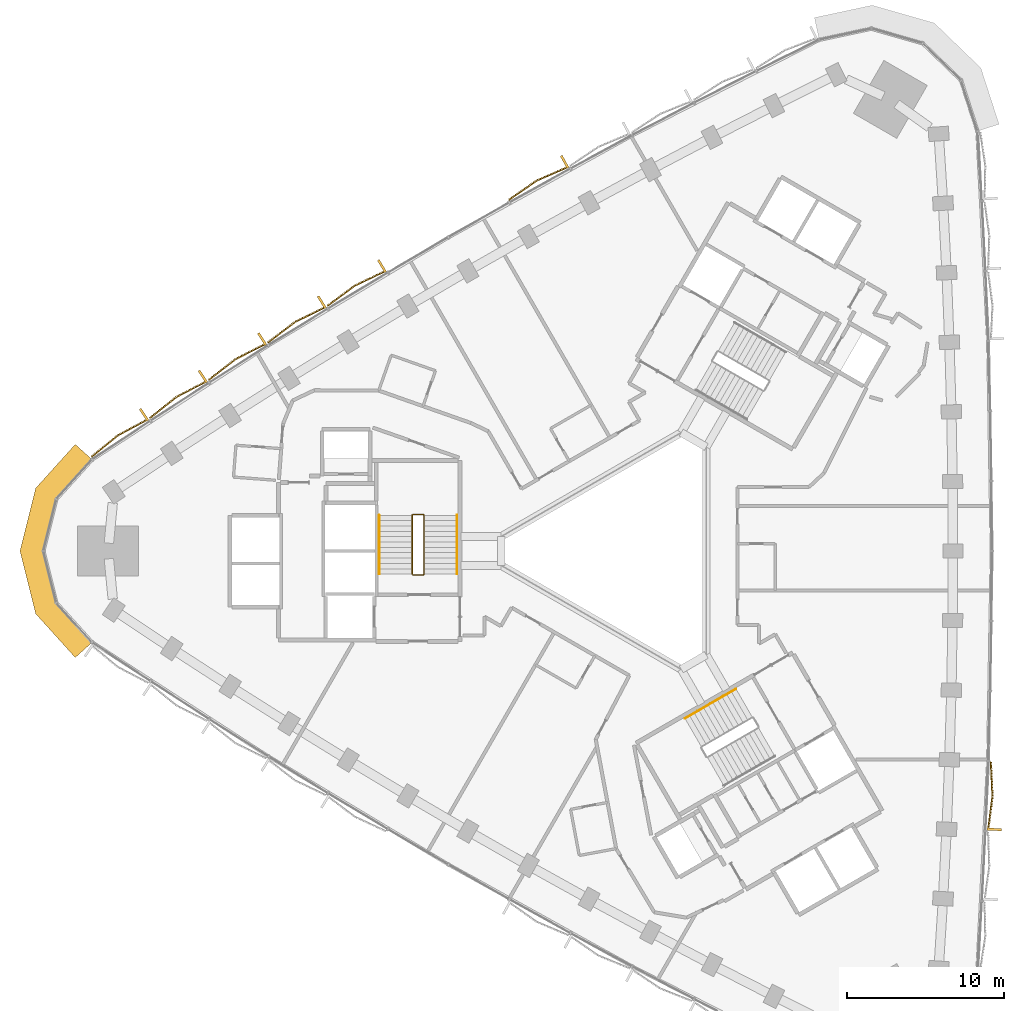
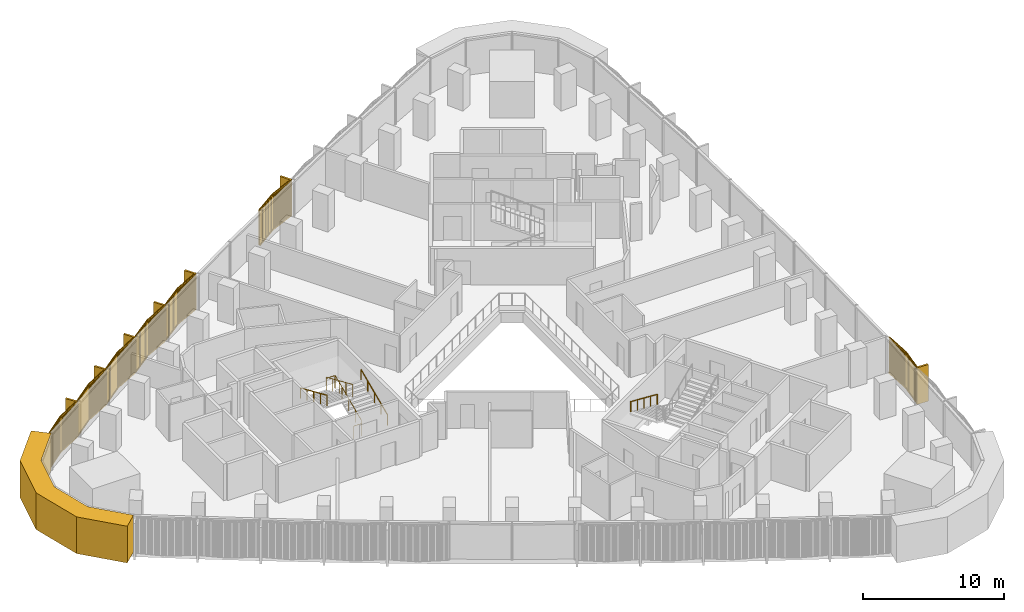
# One storey, part 13 of 15: 8 coverings, 4 railings.
"""IFC4 building model written with IfcOpenShell, lengths in metres."""

import ifcopenshell
import ifcopenshell.guid

model = None  # the IFC model being written
_history = None  # IfcOwnerHistory: only IFC2X3 demands one
_inside = {}  # id of a spatial element -> (the spatial element, [elements in it])
_under = {}  # id of a project, library or spatial element -> (it, [spatial elements below it])
_declared = {}  # id of a project -> (the project, [libraries it declares])
_typed = {}  # id of a type object -> (the type object, [elements of that type])
_made_of = {}  # id of a material, layer set ... -> (it, [elements and type objects made of it])


def new_model(schema):
    """Start an empty IFC model of exactly this schema.

    Asked for "IFC4X3", IfcOpenShell would pick the latest addendum, in which some entities
    have other attributes; the version numbers below select the first issue.
    IFC2X3 requires an IfcOwnerHistory on every rooted entity: one is made here for all.
    """
    global model, _history
    if schema == "IFC4X3":
        model = ifcopenshell.file(schema_version=(4, 3, 0, 0))
    else:
        model = ifcopenshell.file(schema=schema)
    _inside.clear()
    _under.clear()
    _declared.clear()
    _typed.clear()
    _made_of.clear()
    _history = None
    if model.schema == "IFC2X3":
        org = make("IfcOrganization", Name="unknown")
        user = make(
            "IfcPersonAndOrganization",
            ThePerson=make("IfcPerson", FamilyName="unknown"),
            TheOrganization=org,
        )
        app = make(
            "IfcApplication",
            ApplicationDeveloper=org,
            Version="unknown",
            ApplicationFullName="unknown",
            ApplicationIdentifier="unknown",
        )
        _history = make(
            "IfcOwnerHistory",
            OwningUser=user,
            OwningApplication=app,
            ChangeAction="ADDED",
            CreationDate=0,
        )
    return model


def make(cls, **values):
    """One entity of the class cls with the attributes given. An attribute that is None is left unset."""
    return model.create_entity(
        cls, **{name: value for name, value in values.items() if value is not None}
    )


def rooted(cls, **values):
    """An entity with a GlobalId (a new one), such as an element, a storey or a relation."""
    return make(cls, GlobalId=ifcopenshell.guid.new(), OwnerHistory=_history, **values)


def si_unit(unit_type, name, prefix=None):
    """IfcSIUnit, for example si_unit("LENGTHUNIT", "METRE", prefix="MILLI")."""
    return make("IfcSIUnit", UnitType=unit_type, Prefix=prefix, Name=name)


def assignment(units):
    """IfcUnitAssignment: the units of a project."""
    return None if units is None else make("IfcUnitAssignment", Units=units)


def point(xyz):
    """IfcCartesianPoint."""
    return None if xyz is None else make("IfcCartesianPoint", Coordinates=xyz)


def direction(xyz):
    """IfcDirection."""
    return None if xyz is None else make("IfcDirection", DirectionRatios=xyz)


def frame(location, z_axis=None, x_axis=None):
    """IfcAxis2Placement3D, a coordinate frame: its origin and axes. An axis left out is left unset."""
    return make(
        "IfcAxis2Placement3D",
        Location=point(location),
        Axis=direction(z_axis),
        RefDirection=direction(x_axis),
    )


def frame_2d(location, x_axis=None):
    """IfcAxis2Placement2D, a coordinate frame in the plane: its origin and x axis."""
    return make(
        "IfcAxis2Placement2D", Location=point(location), RefDirection=direction(x_axis)
    )


def origin():
    """The frame at (0, 0, 0) with its axes left unset."""
    return frame((0.0, 0.0, 0.0))


def origin_2d():
    """The frame at (0, 0) in the plane with its x axis left unset."""
    return frame_2d((0.0, 0.0))


def place(relative_to, where):
    """IfcLocalPlacement: puts the frame where relative to a parent placement (None: the world)."""
    return make(
        "IfcLocalPlacement", PlacementRelTo=relative_to, RelativePlacement=where
    )


def context(
    kind, dimensions, precision=None, world=None, true_north=None, identifier=None
):
    """IfcGeometricRepresentationContext, for example the 3D "Model" context."""
    return make(
        "IfcGeometricRepresentationContext",
        ContextIdentifier=identifier,
        ContextType=kind,
        CoordinateSpaceDimension=dimensions,
        Precision=precision,
        WorldCoordinateSystem=world,
        TrueNorth=true_north,
    )


def subcontext(parent, identifier, kind, view, scale=None):
    """IfcGeometricRepresentationSubContext, for example "Body" below "Model"."""
    return make(
        "IfcGeometricRepresentationSubContext",
        ContextIdentifier=identifier,
        ContextType=kind,
        ParentContext=parent,
        TargetScale=scale,
        TargetView=view,
    )


def project(units=None, contexts=None):
    """IfcProject with its units and contexts."""
    return rooted(
        "IfcProject",
        Name="project",
        RepresentationContexts=contexts,
        UnitsInContext=assignment(units),
    )


def spatial(cls, under=None, at=None, **own):
    """A site, building, storey or space (cls), placed at a placement, below another one or the project."""
    s = rooted(cls, ObjectPlacement=at, **own)
    if under is not None:
        _under.setdefault(under.id(), (under, []))[1].append(s)
    return s


def polyline(points):
    """IfcPolyline through the points."""
    return make("IfcPolyline", Points=[point(p) for p in points])


def profile(cls, at=None, kind="AREA", **sizes):
    """A parametric profile (cls). Its sizes go by their IFC names, for example OverallWidth=200.0."""
    return make(cls, ProfileType=kind, Position=at, **sizes)


def rectangle(**sizes):
    """IfcRectangleProfileDef."""
    return profile("IfcRectangleProfileDef", **sizes)


def circle(**sizes):
    """IfcCircleProfileDef."""
    return profile("IfcCircleProfileDef", **sizes)


def outline(outer, holes=None, kind="AREA"):
    """IfcArbitraryClosedProfileDef: a profile drawn as a closed curve; with holes, ...WithVoids."""
    if holes is None:
        return make("IfcArbitraryClosedProfileDef", ProfileType=kind, OuterCurve=outer)
    return make(
        "IfcArbitraryProfileDefWithVoids",
        ProfileType=kind,
        OuterCurve=outer,
        InnerCurves=holes,
    )


def extrude(swept, where, along, depth):
    """IfcExtrudedAreaSolid: the profile swept, set in the frame where, extruded along a direction by depth."""
    return make(
        "IfcExtrudedAreaSolid",
        SweptArea=swept,
        Position=where,
        ExtrudedDirection=direction(along),
        Depth=depth,
    )


def shape(context_of_items, identifier, shape_type, items):
    """IfcShapeRepresentation: the items that make up one representation, for example the "Body"."""
    return make(
        "IfcShapeRepresentation",
        ContextOfItems=context_of_items,
        RepresentationIdentifier=identifier,
        RepresentationType=shape_type,
        Items=items,
    )


def source(mapping_origin, context_of_items, identifier, shape_type, items):
    """IfcRepresentationMap: a shape defined once, which mapped items show again and again."""
    return make(
        "IfcRepresentationMap",
        MappingOrigin=mapping_origin,
        MappedRepresentation=shape(context_of_items, identifier, shape_type, items),
    )


def transform(
    local_origin,
    x_axis=None,
    y_axis=None,
    z_axis=None,
    scale=None,
    scale2=None,
    scale3=None,
    uniform=True,
):
    """IfcCartesianTransformationOperator3D, or its non-uniform kind. x_axis, y_axis, z_axis: its Axis1, 2, 3."""
    if uniform:
        return make(
            "IfcCartesianTransformationOperator3D",
            Axis1=direction(x_axis),
            Axis2=direction(y_axis),
            LocalOrigin=point(local_origin),
            Scale=scale,
            Axis3=direction(z_axis),
        )
    return make(
        "IfcCartesianTransformationOperator3DnonUniform",
        Axis1=direction(x_axis),
        Axis2=direction(y_axis),
        LocalOrigin=point(local_origin),
        Scale=scale,
        Axis3=direction(z_axis),
        Scale2=scale2,
        Scale3=scale3,
    )


def mapped(mapping_source, mapping_target):
    """IfcMappedItem: shows the shape of a source again, moved by a transform."""
    return make(
        "IfcMappedItem", MappingSource=mapping_source, MappingTarget=mapping_target
    )


def material(Name=None, Category=None):
    """IfcMaterial."""
    return make("IfcMaterial", Name=Name, Category=Category)


def layer(
    of_material, thickness, ventilated=None, Name=None, Category=None, Priority=None
):
    """IfcMaterialLayer: one layer of a wall or slab, of a material (None: an air gap)."""
    return make(
        "IfcMaterialLayer",
        Material=of_material,
        LayerThickness=thickness,
        IsVentilated=ventilated,
        Name=Name,
        Category=Category,
        Priority=Priority,
    )


def layer_set(layers, Name=None):
    """IfcMaterialLayerSet."""
    return make("IfcMaterialLayerSet", MaterialLayers=layers, LayerSetName=Name)


def made_of(thing, what):
    """Note that an element or type object is made of a material, layer set ...; save() writes the relation."""
    if what is not None:
        _made_of.setdefault(what.id(), (what, []))[1].append(thing)
    return thing


def type_object(cls, material=None, **own):
    """A type object (cls), such as IfcWallType, which elements share."""
    return made_of(rooted(cls, **own), material)


def element(
    cls,
    number,
    at=None,
    inside=None,
    cuts=None,
    type_object=None,
    material=None,
    context=None,
    identifier="Body",
    shape_type=None,
    held_by="IfcProductDefinitionShape",
    body=None,
    shapes=None,
    **own,
):
    """One element of the class cls, such as IfcWall. Its Tag is "e" and its number.

    at: its placement. inside: the storey or other place that contains it. cuts: it is an
    opening in that element (IfcRelVoidsElement). A single representation is given by context,
    identifier, shape_type and body (its items); several are given by shapes. held_by: the class
    of the entity that holds the representations. save() writes the other relations.
    """
    e = rooted(cls, Tag="e%d" % number, ObjectPlacement=at, **own)
    if body is not None:
        shapes = [shape(context, identifier, shape_type, body)]
    if shapes is not None:
        e.Representation = make(held_by, Representations=shapes)
    if inside is not None:
        _inside.setdefault(inside.id(), (inside, []))[1].append(e)
    if cuts is not None:
        rooted(
            "IfcRelVoidsElement", RelatingBuildingElement=cuts, RelatedOpeningElement=e
        )
    if type_object is not None:
        _typed.setdefault(type_object.id(), (type_object, []))[1].append(e)
    return made_of(e, material)


def aggregate(whole, parts):
    """IfcRelAggregates: a whole, such as a stair, and the parts it consists of."""
    return rooted("IfcRelAggregates", RelatingObject=whole, RelatedObjects=parts)


def save(model, path):
    """Write the relations noted so far, then the file.

    IfcRelAggregates (storeys below a building ...), IfcRelContainedInSpatialStructure (elements
    in a storey), IfcRelDefinesByType, IfcRelAssociatesMaterial and IfcRelDeclares: one each for
    every whole, place, type object, material and project.
    """
    for whole, parts in _under.values():
        aggregate(whole, parts)
    for where, things in _inside.values():
        rooted(
            "IfcRelContainedInSpatialStructure",
            RelatedElements=things,
            RelatingStructure=where,
        )
    for kind, things in _typed.values():
        rooted("IfcRelDefinesByType", RelatedObjects=things, RelatingType=kind)
    for what, things in _made_of.values():
        rooted("IfcRelAssociatesMaterial", RelatedObjects=things, RelatingMaterial=what)
    for by, libraries in _declared.values():
        rooted("IfcRelDeclares", RelatingContext=by, RelatedDefinitions=libraries)
    model.write(path)


model = new_model("IFC4")

# Units and contexts
model_context = context("Model", 3, precision=1e-05, world=origin(), true_north=direction((0.0, 1.0)))
body_context = subcontext(model_context, "Body", "Model", "MODEL_VIEW")
ifc_project = project(units=[si_unit("LENGTHUNIT", "METRE"), si_unit("AREAUNIT", "SQUARE_METRE"), si_unit("VOLUMEUNIT", "CUBIC_METRE"), si_unit("PLANEANGLEUNIT", "RADIAN"), si_unit("MASSUNIT", "GRAM", prefix="KILO")], contexts=[model_context])

# Site, building, storey
site_placement = place(None, origin())
site = spatial("IfcSite", under=ifc_project, at=site_placement, CompositionType="ELEMENT")
building_placement = place(site_placement, origin())
building = spatial("IfcBuilding", under=site, at=building_placement, Name="Tamra Quay Hotel Tower", CompositionType="ELEMENT")
storey_placement = place(building_placement, frame((0.0, 0.0, 97.39990234375)))
storey = spatial("IfcBuildingStorey", under=building, at=storey_placement, Name="L23", CompositionType="ELEMENT", Elevation=97.39990234375)

# Covering
ifc_material_1 = material(Name="Precast concrete M60 terracotta-coloured", Category="masonry")
ifc_layer = layer(ifc_material_1, 1.449951171875)
ifc_layer_set = layer_set([ifc_layer], Name="CORNER PIER PANEL")
covering_type_1 = type_object("IfcCoveringType", Name="CORNER PIER PANEL", PredefinedType="CLADDING", material=ifc_layer_set)
covering_1_placement = place(storey_placement, origin())
element("IfcCovering", 1, at=covering_1_placement, inside=storey, type_object=covering_type_1, Name="Corner pier L23.north-west", PredefinedType="CLADDING", context=body_context, shape_type="SweptSolid", body=[
    extrude(outline(polyline([(-34.337890625, 5.839599609375), (-35.414306640625, 6.811279296875), (-37.942138671875, 4.01123046875), (-38.944091796875, 0.0), (-37.942138671875, -4.01123046875), (-35.414306640625, -6.811279296875), (-34.337890625, -5.839599609375), (-36.623046875, -3.308349609375), (-37.449462890625, 0.0), (-36.623046875, 3.308349609375), (-34.337890625, 5.839599609375)])), origin(), (0.0, 0.0, 1.0), 3.175048828125),
])

# Railings
ifc_material_2 = material(Name="Stair guard 1100")
railing_type_1 = type_object("IfcRailingType", Name="Stair guard 1100", PredefinedType="GUARDRAIL", material=ifc_material_2)
railing_1_placement = place(storey_placement, frame((-13.84130859375, -1.530029296875, 0.0)))
element("IfcRailing", 2, at=railing_1_placement, inside=storey, type_object=railing_type_1, Name="GR", PredefinedType="GUARDRAIL", context=body_context, shape_type="SweptSolid", body=[
    extrude(circle(Radius=0.02392578125, at=origin_2d()), frame((0.0, 0.0, 1.076171875), z_axis=(1.0, 0.0, 0.0), x_axis=(0.0, 1.0, 0.0)), (0.0, 0.0, 1.0), 0.658935546875),
    extrude(circle(Radius=0.02392578125, at=origin_2d()), frame((0.658935546875, 0.0, 1.076171875), z_axis=(0.301511344578, 0.301511344578, 0.904534033733), x_axis=(-0.707106781187, 0.707106781187, 0.0)), (0.0, 0.0, 1.0), 0.166015625),
    extrude(circle(Radius=0.02392578125, at=origin_2d()), frame((0.708984375, 0.050048828125, 1.22607421875), z_axis=(0.0, 0.915795495799, 0.401644880304), x_axis=(-1.0, 0.0, 0.0)), (0.0, 0.0, 1.0), 4.10791015625),
    extrude(circle(Radius=0.02392578125, at=origin_2d()), frame((0.708984375, 3.81201171875, 2.8759765625), z_axis=(-0.708833529934, 0.705375805398, 0.0), x_axis=(-0.705375805398, -0.708833529934, 0.0)), (0.0, 0.0, 1.0), 0.070556640625),
    extrude(circle(Radius=0.02392578125, at=origin_2d()), frame((0.658935546875, 3.86181640625, 2.8759765625), z_axis=(-1.0, 0.0, 0.0), x_axis=(0.0, -1.0, 0.0)), (0.0, 0.0, 1.0), 0.658935546875),
    extrude(circle(Radius=0.02392578125, at=origin_2d()), frame((0.0, 3.86181640625, 2.8759765625), z_axis=(-0.301644814947, -0.300173376825, 0.904934444842), x_axis=(0.705375805398, -0.708833529934, 0.0)), (0.0, 0.0, 1.0), 0.166015625),
    extrude(circle(Radius=0.02392578125, at=origin_2d()), frame((-0.050048828125, 3.81201171875, 3.0263671875), z_axis=(0.0, -0.915795495799, 0.401644880304), x_axis=(1.0, 0.0, 0.0)), (0.0, 0.0, 1.0), 4.10791015625),
    extrude(circle(Radius=0.02099609375, at=origin_2d()), origin(), (0.0, 0.0, 1.0), 1.052001953125),
    extrude(circle(Radius=0.02099609375, at=origin_2d()), frame((0.658935546875, 0.0, 0.0)), (0.0, 0.0, 1.0), 1.052001953125),
    extrude(circle(Radius=0.02099609375, at=origin_2d()), frame((0.708984375, 0.050048828125, 0.150146484375)), (0.0, 0.0, 1.0), 1.052001953125),
    extrude(circle(Radius=0.02099609375, at=origin_2d()), frame((0.708984375, 0.990478515625, 0.5625)), (0.0, 0.0, 1.0), 1.052001953125),
    extrude(circle(Radius=0.02099609375, at=origin_2d()), frame((0.708984375, 1.93115234375, 0.97509765625)), (0.0, 0.0, 1.0), 1.052001953125),
    extrude(circle(Radius=0.02099609375, at=origin_2d()), frame((0.708984375, 2.87158203125, 1.3876953125)), (0.0, 0.0, 1.0), 1.052001953125),
    extrude(circle(Radius=0.02099609375, at=origin_2d()), frame((0.708984375, 3.81201171875, 1.800048828125)), (0.0, 0.0, 1.0), 1.052001953125),
    extrude(circle(Radius=0.02099609375, at=origin_2d()), frame((0.658935546875, 3.86181640625, 1.800048828125)), (0.0, 0.0, 1.0), 1.052001953125),
    extrude(circle(Radius=0.02099609375, at=origin_2d()), frame((0.0, 3.86181640625, 1.800048828125)), (0.0, 0.0, 1.0), 1.052001953125),
    extrude(circle(Radius=0.02099609375, at=origin_2d()), frame((-0.050048828125, 3.81201171875, 1.9501953125)), (0.0, 0.0, 1.0), 1.052001953125),
    extrude(circle(Radius=0.02099609375, at=origin_2d()), frame((-0.050048828125, 2.87158203125, 2.36279296875)), (0.0, 0.0, 1.0), 1.052001953125),
    extrude(circle(Radius=0.02099609375, at=origin_2d()), frame((-0.050048828125, 1.93115234375, 2.775146484375)), (0.0, 0.0, 1.0), 1.052001953125),
    extrude(circle(Radius=0.02099609375, at=origin_2d()), frame((-0.050048828125, 0.990478515625, 3.1875)), (0.0, 0.0, 1.0), 1.052001953125),
    extrude(circle(Radius=0.02099609375, at=origin_2d()), frame((-0.050048828125, 0.050048828125, 3.60009765625)), (0.0, 0.0, 1.0), 1.052001953125),
])
ifc_material_3 = material(Name="Stair handrail 900")
railing_type_2 = type_object("IfcRailingType", Name="Stair handrail 900", PredefinedType="HANDRAIL", material=ifc_material_3)
railing_2_placement = place(storey_placement, frame((-11.0322265625, -1.47998046875, 0.150146484375)))
element("IfcRailing", 3, at=railing_2_placement, inside=storey, type_object=railing_type_2, Name="HR", PredefinedType="HANDRAIL", context=body_context, shape_type="SweptSolid", body=[
    extrude(circle(Radius=0.02392578125, at=origin_2d()), frame((0.0, 0.0, 0.8759765625), z_axis=(0.0, 0.915795495799, 0.401644880304), x_axis=(-1.0, 0.0, 0.0)), (0.0, 0.0, 1.0), 4.10791015625),
    extrude(circle(Radius=0.02099609375, at=origin_2d()), origin(), (0.0, 0.0, 1.0), 0.851806640625),
    extrude(circle(Radius=0.02099609375, at=origin_2d()), frame((0.0, 0.9404296875, 0.41259765625)), (0.0, 0.0, 1.0), 0.851806640625),
    extrude(circle(Radius=0.02099609375, at=origin_2d()), frame((0.0, 1.880859375, 0.824951171875)), (0.0, 0.0, 1.0), 0.851806640625),
    extrude(circle(Radius=0.02099609375, at=origin_2d()), frame((0.0, 2.821533203125, 1.2373046875)), (0.0, 0.0, 1.0), 0.851806640625),
    extrude(circle(Radius=0.02099609375, at=origin_2d()), frame((0.0, 3.761962890625, 1.64990234375)), (0.0, 0.0, 1.0), 0.851806640625),
])
railing_3_placement = place(storey_placement, frame((-15.9912109375, 2.281982421875, 1.9501953125)))
element("IfcRailing", 4, at=railing_3_placement, inside=storey, type_object=railing_type_2, Name="HR", PredefinedType="HANDRAIL", context=body_context, shape_type="SweptSolid", body=[
    extrude(circle(Radius=0.02392578125, at=origin_2d()), frame((0.0, 0.0, 0.8759765625), z_axis=(0.0, -0.915795495799, 0.401644880304), x_axis=(1.0, 0.0, 0.0)), (0.0, 0.0, 1.0), 4.10791015625),
    extrude(circle(Radius=0.02099609375, at=origin_2d()), origin(), (0.0, 0.0, 1.0), 0.851806640625),
    extrude(circle(Radius=0.02099609375, at=origin_2d()), frame((0.0, -0.9404296875, 0.41259765625)), (0.0, 0.0, 1.0), 0.851806640625),
    extrude(circle(Radius=0.02099609375, at=origin_2d()), frame((0.0, -1.880859375, 0.824951171875)), (0.0, 0.0, 1.0), 0.851806640625),
    extrude(circle(Radius=0.02099609375, at=origin_2d()), frame((0.0, -2.821533203125, 1.2373046875)), (0.0, 0.0, 1.0), 0.851806640625),
    extrude(circle(Radius=0.02099609375, at=origin_2d()), frame((0.0, -3.761962890625, 1.64990234375)), (0.0, 0.0, 1.0), 0.851806640625),
])
railing_4_placement = place(storey_placement, frame((6.7978515625, -8.814208984375, 0.150146484375)))
element("IfcRailing", 5, at=railing_4_placement, inside=storey, type_object=railing_type_2, Name="HR", PredefinedType="HANDRAIL", context=body_context, shape_type="SweptSolid", body=[
    extrude(circle(Radius=0.02392578125, at=origin_2d()), frame((0.0, 0.0, 0.8759765625), z_axis=(-0.79310004713, -0.457886897714, 0.401661429744), x_axis=(0.499992114976, -0.866029956157, 0.0)), (0.0, 0.0, 1.0), 4.107666015625),
    extrude(circle(Radius=0.02099609375, at=origin_2d()), origin(), (0.0, 0.0, 1.0), 0.851806640625),
    extrude(circle(Radius=0.02099609375, at=origin_2d()), frame((-0.814453125, -0.47021484375, 0.41259765625)), (0.0, 0.0, 1.0), 0.851806640625),
    extrude(circle(Radius=0.02099609375, at=origin_2d()), frame((-1.62890625, -0.9404296875, 0.824951171875)), (0.0, 0.0, 1.0), 0.851806640625),
    extrude(circle(Radius=0.02099609375, at=origin_2d()), frame((-2.443359375, -1.41064453125, 1.2373046875)), (0.0, 0.0, 1.0), 0.851806640625),
    extrude(circle(Radius=0.02099609375, at=origin_2d()), frame((-3.2578125, -1.880859375, 1.64990234375)), (0.0, 0.0, 1.0), 0.851806640625),
])

# Coverings
ifc_material_4 = material(Name="Terracotta baguette extruded", Category="masonry")
covering_type_2 = type_object("IfcCoveringType", Name="BAGUETTE SCREEN E-V H3175", PredefinedType="USERDEFINED", material=ifc_material_4)
shared_shape_1 = source(origin(), body_context, "Body", "SweptSolid", [
    extrude(rectangle(XDim=2.200927734375, YDim=0.06005859375, at=frame_2d((1.1005859375, 0.030029296875))), frame((-2.19775390625, -0.057861328125, -0.1201171875), z_axis=(0.0, 0.0, 1.0), x_axis=(0.996194698092, -0.087155742748, 0.0)), (0.0, 0.0, 1.0), 0.1201171875),
    extrude(rectangle(XDim=2.200927734375, YDim=0.06005859375, at=frame_2d((1.1005859375, 0.030029296875))), frame((-2.19775390625, -0.057861328125, -3.175048828125), z_axis=(0.0, 0.0, 1.0), x_axis=(0.996194698092, -0.087155742748, 0.0)), (0.0, 0.0, 1.0), 0.1201171875),
    extrude(rectangle(XDim=0.070068359375, YDim=0.10009765625, at=frame_2d((0.03515625, 0.050048828125))), frame((-2.177734375, -0.13232421875, -3.114990234375)), (0.0, 0.0, 1.0), 3.054931640625),
    extrude(rectangle(XDim=0.070068359375, YDim=0.10009765625, at=frame_2d((0.03515625, 0.050048828125))), frame((-2.078125, -0.14111328125, -3.114990234375)), (0.0, 0.0, 1.0), 3.054931640625),
    extrude(rectangle(XDim=0.070068359375, YDim=0.10009765625, at=frame_2d((0.03515625, 0.050048828125))), frame((-1.978271484375, -0.14990234375, -3.114990234375)), (0.0, 0.0, 1.0), 3.054931640625),
    extrude(rectangle(XDim=0.070068359375, YDim=0.10009765625, at=frame_2d((0.03515625, 0.050048828125))), frame((-1.878662109375, -0.158447265625, -3.114990234375)), (0.0, 0.0, 1.0), 3.054931640625),
    extrude(rectangle(XDim=0.070068359375, YDim=0.10009765625, at=frame_2d((0.03515625, 0.050048828125))), frame((-1.779052734375, -0.167236328125, -3.114990234375)), (0.0, 0.0, 1.0), 3.054931640625),
    extrude(rectangle(XDim=0.070068359375, YDim=0.10009765625, at=frame_2d((0.03515625, 0.050048828125))), frame((-1.679443359375, -0.176025390625, -3.114990234375)), (0.0, 0.0, 1.0), 3.054931640625),
    extrude(rectangle(XDim=0.070068359375, YDim=0.10009765625, at=frame_2d((0.03515625, 0.050048828125))), frame((-1.579833984375, -0.1845703125, -3.114990234375)), (0.0, 0.0, 1.0), 3.054931640625),
    extrude(rectangle(XDim=0.070068359375, YDim=0.10009765625, at=frame_2d((0.03515625, 0.050048828125))), frame((-1.47998046875, -0.193359375, -3.114990234375)), (0.0, 0.0, 1.0), 3.054931640625),
    extrude(rectangle(XDim=0.070068359375, YDim=0.10009765625, at=frame_2d((0.03515625, 0.050048828125))), frame((-1.38037109375, -0.2021484375, -3.114990234375)), (0.0, 0.0, 1.0), 3.054931640625),
    extrude(rectangle(XDim=0.070068359375, YDim=0.10009765625, at=frame_2d((0.03515625, 0.050048828125))), frame((-1.28076171875, -0.2109375, -3.114990234375)), (0.0, 0.0, 1.0), 3.054931640625),
    extrude(rectangle(XDim=0.070068359375, YDim=0.10009765625, at=frame_2d((0.03515625, 0.050048828125))), frame((-1.18115234375, -0.219482421875, -3.114990234375)), (0.0, 0.0, 1.0), 3.054931640625),
    extrude(rectangle(XDim=0.070068359375, YDim=0.10009765625, at=frame_2d((0.03515625, 0.050048828125))), frame((-1.081298828125, -0.228271484375, -3.114990234375)), (0.0, 0.0, 1.0), 3.054931640625),
    extrude(rectangle(XDim=0.070068359375, YDim=0.10009765625, at=frame_2d((0.03515625, 0.050048828125))), frame((-0.981689453125, -0.237060546875, -3.114990234375)), (0.0, 0.0, 1.0), 3.054931640625),
    extrude(rectangle(XDim=0.070068359375, YDim=0.10009765625, at=frame_2d((0.03515625, 0.050048828125))), frame((-0.882080078125, -0.24560546875, -3.114990234375)), (0.0, 0.0, 1.0), 3.054931640625),
    extrude(rectangle(XDim=0.070068359375, YDim=0.10009765625, at=frame_2d((0.03515625, 0.050048828125))), frame((-0.782470703125, -0.25439453125, -3.114990234375)), (0.0, 0.0, 1.0), 3.054931640625),
    extrude(rectangle(XDim=0.070068359375, YDim=0.10009765625, at=frame_2d((0.03515625, 0.050048828125))), frame((-0.682861328125, -0.26318359375, -3.114990234375)), (0.0, 0.0, 1.0), 3.054931640625),
    extrude(rectangle(XDim=0.070068359375, YDim=0.10009765625, at=frame_2d((0.03515625, 0.050048828125))), frame((-0.583251953125, -0.27197265625, -3.114990234375)), (0.0, 0.0, 1.0), 3.054931640625),
    extrude(rectangle(XDim=0.070068359375, YDim=0.10009765625, at=frame_2d((0.03515625, 0.050048828125))), frame((-0.4833984375, -0.280517578125, -3.114990234375)), (0.0, 0.0, 1.0), 3.054931640625),
    extrude(rectangle(XDim=0.070068359375, YDim=0.10009765625, at=frame_2d((0.03515625, 0.050048828125))), frame((-0.3837890625, -0.289306640625, -3.114990234375)), (0.0, 0.0, 1.0), 3.054931640625),
    extrude(rectangle(XDim=0.070068359375, YDim=0.10009765625, at=frame_2d((0.03515625, 0.050048828125))), frame((-0.2841796875, -0.298095703125, -3.114990234375)), (0.0, 0.0, 1.0), 3.054931640625),
    extrude(rectangle(XDim=0.070068359375, YDim=0.10009765625, at=frame_2d((0.03515625, 0.050048828125))), frame((-0.1845703125, -0.306640625, -3.114990234375)), (0.0, 0.0, 1.0), 3.054931640625),
    extrude(rectangle(XDim=0.070068359375, YDim=0.10009765625, at=frame_2d((0.03515625, 0.050048828125))), frame((-0.084716796875, -0.3154296875, -3.114990234375)), (0.0, 0.0, 1.0), 3.054931640625),
    extrude(rectangle(XDim=2.200927734375, YDim=0.06005859375, at=frame_2d((1.1005859375, 0.030029296875))), frame((0.005126953125, -0.24951171875, -0.1201171875), z_axis=(0.0, 0.0, 1.0), x_axis=(0.996194698092, 0.087155742748, 0.0)), (0.0, 0.0, 1.0), 0.1201171875),
    extrude(rectangle(XDim=2.200927734375, YDim=0.06005859375, at=frame_2d((1.1005859375, 0.030029296875))), frame((0.005126953125, -0.24951171875, -3.175048828125), z_axis=(0.0, 0.0, 1.0), x_axis=(0.996194698092, 0.087155742748, 0.0)), (0.0, 0.0, 1.0), 0.1201171875),
    extrude(rectangle(XDim=0.070068359375, YDim=0.10009765625, at=frame_2d((0.03515625, 0.050048828125))), frame((0.014892578125, -0.3154296875, -3.114990234375)), (0.0, 0.0, 1.0), 3.054931640625),
    extrude(rectangle(XDim=0.070068359375, YDim=0.10009765625, at=frame_2d((0.03515625, 0.050048828125))), frame((0.114501953125, -0.306640625, -3.114990234375)), (0.0, 0.0, 1.0), 3.054931640625),
    extrude(rectangle(XDim=0.070068359375, YDim=0.10009765625, at=frame_2d((0.03515625, 0.050048828125))), frame((0.214111328125, -0.298095703125, -3.114990234375)), (0.0, 0.0, 1.0), 3.054931640625),
    extrude(rectangle(XDim=0.070068359375, YDim=0.10009765625, at=frame_2d((0.03515625, 0.050048828125))), frame((0.313720703125, -0.289306640625, -3.114990234375)), (0.0, 0.0, 1.0), 3.054931640625),
    extrude(rectangle(XDim=0.070068359375, YDim=0.10009765625, at=frame_2d((0.03515625, 0.050048828125))), frame((0.41357421875, -0.280517578125, -3.114990234375)), (0.0, 0.0, 1.0), 3.054931640625),
    extrude(rectangle(XDim=0.070068359375, YDim=0.10009765625, at=frame_2d((0.03515625, 0.050048828125))), frame((0.51318359375, -0.27197265625, -3.114990234375)), (0.0, 0.0, 1.0), 3.054931640625),
    extrude(rectangle(XDim=0.070068359375, YDim=0.10009765625, at=frame_2d((0.03515625, 0.050048828125))), frame((0.61279296875, -0.26318359375, -3.114990234375)), (0.0, 0.0, 1.0), 3.054931640625),
    extrude(rectangle(XDim=0.070068359375, YDim=0.10009765625, at=frame_2d((0.03515625, 0.050048828125))), frame((0.71240234375, -0.25439453125, -3.114990234375)), (0.0, 0.0, 1.0), 3.054931640625),
    extrude(rectangle(XDim=0.070068359375, YDim=0.10009765625, at=frame_2d((0.03515625, 0.050048828125))), frame((0.81201171875, -0.24560546875, -3.114990234375)), (0.0, 0.0, 1.0), 3.054931640625),
    extrude(rectangle(XDim=0.070068359375, YDim=0.10009765625, at=frame_2d((0.03515625, 0.050048828125))), frame((0.911865234375, -0.237060546875, -3.114990234375)), (0.0, 0.0, 1.0), 3.054931640625),
    extrude(rectangle(XDim=0.070068359375, YDim=0.10009765625, at=frame_2d((0.03515625, 0.050048828125))), frame((1.011474609375, -0.228271484375, -3.114990234375)), (0.0, 0.0, 1.0), 3.054931640625),
    extrude(rectangle(XDim=0.070068359375, YDim=0.10009765625, at=frame_2d((0.03515625, 0.050048828125))), frame((1.111083984375, -0.219482421875, -3.114990234375)), (0.0, 0.0, 1.0), 3.054931640625),
    extrude(rectangle(XDim=0.070068359375, YDim=0.10009765625, at=frame_2d((0.03515625, 0.050048828125))), frame((1.210693359375, -0.2109375, -3.114990234375)), (0.0, 0.0, 1.0), 3.054931640625),
    extrude(rectangle(XDim=0.070068359375, YDim=0.10009765625, at=frame_2d((0.03515625, 0.050048828125))), frame((1.310302734375, -0.2021484375, -3.114990234375)), (0.0, 0.0, 1.0), 3.054931640625),
    extrude(rectangle(XDim=0.070068359375, YDim=0.10009765625, at=frame_2d((0.03515625, 0.050048828125))), frame((1.41015625, -0.193359375, -3.114990234375)), (0.0, 0.0, 1.0), 3.054931640625),
    extrude(rectangle(XDim=0.070068359375, YDim=0.10009765625, at=frame_2d((0.03515625, 0.050048828125))), frame((1.509765625, -0.1845703125, -3.114990234375)), (0.0, 0.0, 1.0), 3.054931640625),
    extrude(rectangle(XDim=0.070068359375, YDim=0.10009765625, at=frame_2d((0.03515625, 0.050048828125))), frame((1.609375, -0.176025390625, -3.114990234375)), (0.0, 0.0, 1.0), 3.054931640625),
    extrude(rectangle(XDim=0.070068359375, YDim=0.10009765625, at=frame_2d((0.03515625, 0.050048828125))), frame((1.708984375, -0.167236328125, -3.114990234375)), (0.0, 0.0, 1.0), 3.054931640625),
    extrude(rectangle(XDim=0.070068359375, YDim=0.10009765625, at=frame_2d((0.03515625, 0.050048828125))), frame((1.80859375, -0.158447265625, -3.114990234375)), (0.0, 0.0, 1.0), 3.054931640625),
    extrude(rectangle(XDim=0.070068359375, YDim=0.10009765625, at=frame_2d((0.03515625, 0.050048828125))), frame((1.908447265625, -0.14990234375, -3.114990234375)), (0.0, 0.0, 1.0), 3.054931640625),
    extrude(rectangle(XDim=0.070068359375, YDim=0.10009765625, at=frame_2d((0.03515625, 0.050048828125))), frame((2.008056640625, -0.14111328125, -3.114990234375)), (0.0, 0.0, 1.0), 3.054931640625),
    extrude(rectangle(XDim=0.070068359375, YDim=0.10009765625, at=frame_2d((0.03515625, 0.050048828125))), frame((2.107666015625, -0.13232421875, -3.114990234375)), (0.0, 0.0, 1.0), 3.054931640625),
    extrude(rectangle(XDim=0.14990234375, YDim=0.902099609375, at=frame_2d((0.074951171875, 0.451171875))), frame((-2.1923828125, -0.89990234375, -3.175048828125)), (0.0, 0.0, 1.0), 3.175048828125),
])
covering_2_placement = place(storey_placement, frame((22.933349609375, -15.65625, 3.175048828125), z_axis=(0.0, 0.0, 1.0), x_axis=(0.039943885581, 0.99920192454, 0.0)))
element("IfcCovering", 6, at=covering_2_placement, inside=storey, type_object=covering_type_2, Name="Baguette screen L23.E.f02", ObjectType="BAGUETTE SCREEN", PredefinedType="USERDEFINED", context=body_context, shape_type="MappedRepresentation", body=[
    mapped(shared_shape_1, transform((0.0, 0.0, 0.0), scale=1.0)),
])
covering_type_3 = type_object("IfcCoveringType", Name="BAGUETTE SCREEN NW-V H3175", PredefinedType="USERDEFINED", material=ifc_material_4)
shared_shape_2 = source(origin(), body_context, "Body", "SweptSolid", [
    extrude(rectangle(XDim=2.20263671875, YDim=0.06005859375, at=frame_2d((1.101318359375, 0.030029296875))), frame((-2.1982421875, -0.0576171875, -0.1201171875), z_axis=(0.0, 0.0, 1.0), x_axis=(0.995396198367, -0.09584575252, 0.0)), (0.0, 0.0, 1.0), 0.1201171875),
    extrude(rectangle(XDim=2.20263671875, YDim=0.06005859375, at=frame_2d((1.101318359375, 0.030029296875))), frame((-2.1982421875, -0.0576171875, -3.175048828125), z_axis=(0.0, 0.0, 1.0), x_axis=(0.995396198367, -0.09584575252, 0.0)), (0.0, 0.0, 1.0), 0.1201171875),
    extrude(rectangle(XDim=0.070068359375, YDim=0.10009765625, at=frame_2d((0.03515625, 0.050048828125))), frame((-2.177734375, -0.1328125, -3.114990234375)), (0.0, 0.0, 1.0), 3.054931640625),
    extrude(rectangle(XDim=0.070068359375, YDim=0.10009765625, at=frame_2d((0.03515625, 0.050048828125))), frame((-2.078125, -0.142333984375, -3.114990234375)), (0.0, 0.0, 1.0), 3.054931640625),
    extrude(rectangle(XDim=0.070068359375, YDim=0.10009765625, at=frame_2d((0.03515625, 0.050048828125))), frame((-1.978271484375, -0.152099609375, -3.114990234375)), (0.0, 0.0, 1.0), 3.054931640625),
    extrude(rectangle(XDim=0.070068359375, YDim=0.10009765625, at=frame_2d((0.03515625, 0.050048828125))), frame((-1.878662109375, -0.16162109375, -3.114990234375)), (0.0, 0.0, 1.0), 3.054931640625),
    extrude(rectangle(XDim=0.070068359375, YDim=0.10009765625, at=frame_2d((0.03515625, 0.050048828125))), frame((-1.779052734375, -0.171142578125, -3.114990234375)), (0.0, 0.0, 1.0), 3.054931640625),
    extrude(rectangle(XDim=0.070068359375, YDim=0.10009765625, at=frame_2d((0.03515625, 0.050048828125))), frame((-1.679443359375, -0.1806640625, -3.114990234375)), (0.0, 0.0, 1.0), 3.054931640625),
    extrude(rectangle(XDim=0.070068359375, YDim=0.10009765625, at=frame_2d((0.03515625, 0.050048828125))), frame((-1.579833984375, -0.1904296875, -3.114990234375)), (0.0, 0.0, 1.0), 3.054931640625),
    extrude(rectangle(XDim=0.070068359375, YDim=0.10009765625, at=frame_2d((0.03515625, 0.050048828125))), frame((-1.47998046875, -0.199951171875, -3.114990234375)), (0.0, 0.0, 1.0), 3.054931640625),
    extrude(rectangle(XDim=0.070068359375, YDim=0.10009765625, at=frame_2d((0.03515625, 0.050048828125))), frame((-1.38037109375, -0.20947265625, -3.114990234375)), (0.0, 0.0, 1.0), 3.054931640625),
    extrude(rectangle(XDim=0.070068359375, YDim=0.10009765625, at=frame_2d((0.03515625, 0.050048828125))), frame((-1.28076171875, -0.21923828125, -3.114990234375)), (0.0, 0.0, 1.0), 3.054931640625),
    extrude(rectangle(XDim=0.070068359375, YDim=0.10009765625, at=frame_2d((0.03515625, 0.050048828125))), frame((-1.18115234375, -0.228759765625, -3.114990234375)), (0.0, 0.0, 1.0), 3.054931640625),
    extrude(rectangle(XDim=0.070068359375, YDim=0.10009765625, at=frame_2d((0.03515625, 0.050048828125))), frame((-1.081298828125, -0.23828125, -3.114990234375)), (0.0, 0.0, 1.0), 3.054931640625),
    extrude(rectangle(XDim=0.070068359375, YDim=0.10009765625, at=frame_2d((0.03515625, 0.050048828125))), frame((-0.981689453125, -0.248046875, -3.114990234375)), (0.0, 0.0, 1.0), 3.054931640625),
    extrude(rectangle(XDim=0.070068359375, YDim=0.10009765625, at=frame_2d((0.03515625, 0.050048828125))), frame((-0.882080078125, -0.257568359375, -3.114990234375)), (0.0, 0.0, 1.0), 3.054931640625),
    extrude(rectangle(XDim=0.070068359375, YDim=0.10009765625, at=frame_2d((0.03515625, 0.050048828125))), frame((-0.782470703125, -0.26708984375, -3.114990234375)), (0.0, 0.0, 1.0), 3.054931640625),
    extrude(rectangle(XDim=0.070068359375, YDim=0.10009765625, at=frame_2d((0.03515625, 0.050048828125))), frame((-0.682861328125, -0.27685546875, -3.114990234375)), (0.0, 0.0, 1.0), 3.054931640625),
    extrude(rectangle(XDim=0.070068359375, YDim=0.10009765625, at=frame_2d((0.03515625, 0.050048828125))), frame((-0.583251953125, -0.286376953125, -3.114990234375)), (0.0, 0.0, 1.0), 3.054931640625),
    extrude(rectangle(XDim=0.070068359375, YDim=0.10009765625, at=frame_2d((0.03515625, 0.050048828125))), frame((-0.4833984375, -0.2958984375, -3.114990234375)), (0.0, 0.0, 1.0), 3.054931640625),
    extrude(rectangle(XDim=0.070068359375, YDim=0.10009765625, at=frame_2d((0.03515625, 0.050048828125))), frame((-0.3837890625, -0.305419921875, -3.114990234375)), (0.0, 0.0, 1.0), 3.054931640625),
    extrude(rectangle(XDim=0.070068359375, YDim=0.10009765625, at=frame_2d((0.03515625, 0.050048828125))), frame((-0.2841796875, -0.315185546875, -3.114990234375)), (0.0, 0.0, 1.0), 3.054931640625),
    extrude(rectangle(XDim=0.070068359375, YDim=0.10009765625, at=frame_2d((0.03515625, 0.050048828125))), frame((-0.1845703125, -0.32470703125, -3.114990234375)), (0.0, 0.0, 1.0), 3.054931640625),
    extrude(rectangle(XDim=0.070068359375, YDim=0.10009765625, at=frame_2d((0.03515625, 0.050048828125))), frame((-0.084716796875, -0.334228515625, -3.114990234375)), (0.0, 0.0, 1.0), 3.054931640625),
    extrude(rectangle(XDim=2.20263671875, YDim=0.06005859375, at=frame_2d((1.101318359375, 0.030029296875))), frame((0.005859375, -0.268798828125, -0.1201171875), z_axis=(0.0, 0.0, 1.0), x_axis=(0.995396198367, 0.09584575252, 0.0)), (0.0, 0.0, 1.0), 0.1201171875),
    extrude(rectangle(XDim=2.20263671875, YDim=0.06005859375, at=frame_2d((1.101318359375, 0.030029296875))), frame((0.005859375, -0.268798828125, -3.175048828125), z_axis=(0.0, 0.0, 1.0), x_axis=(0.995396198367, 0.09584575252, 0.0)), (0.0, 0.0, 1.0), 0.1201171875),
    extrude(rectangle(XDim=0.070068359375, YDim=0.10009765625, at=frame_2d((0.03515625, 0.050048828125))), frame((0.014892578125, -0.334228515625, -3.114990234375)), (0.0, 0.0, 1.0), 3.054931640625),
    extrude(rectangle(XDim=0.070068359375, YDim=0.10009765625, at=frame_2d((0.03515625, 0.050048828125))), frame((0.114501953125, -0.32470703125, -3.114990234375)), (0.0, 0.0, 1.0), 3.054931640625),
    extrude(rectangle(XDim=0.070068359375, YDim=0.10009765625, at=frame_2d((0.03515625, 0.050048828125))), frame((0.214111328125, -0.315185546875, -3.114990234375)), (0.0, 0.0, 1.0), 3.054931640625),
    extrude(rectangle(XDim=0.070068359375, YDim=0.10009765625, at=frame_2d((0.03515625, 0.050048828125))), frame((0.313720703125, -0.305419921875, -3.114990234375)), (0.0, 0.0, 1.0), 3.054931640625),
    extrude(rectangle(XDim=0.070068359375, YDim=0.10009765625, at=frame_2d((0.03515625, 0.050048828125))), frame((0.41357421875, -0.2958984375, -3.114990234375)), (0.0, 0.0, 1.0), 3.054931640625),
    extrude(rectangle(XDim=0.070068359375, YDim=0.10009765625, at=frame_2d((0.03515625, 0.050048828125))), frame((0.51318359375, -0.286376953125, -3.114990234375)), (0.0, 0.0, 1.0), 3.054931640625),
    extrude(rectangle(XDim=0.070068359375, YDim=0.10009765625, at=frame_2d((0.03515625, 0.050048828125))), frame((0.61279296875, -0.27685546875, -3.114990234375)), (0.0, 0.0, 1.0), 3.054931640625),
    extrude(rectangle(XDim=0.070068359375, YDim=0.10009765625, at=frame_2d((0.03515625, 0.050048828125))), frame((0.71240234375, -0.26708984375, -3.114990234375)), (0.0, 0.0, 1.0), 3.054931640625),
    extrude(rectangle(XDim=0.070068359375, YDim=0.10009765625, at=frame_2d((0.03515625, 0.050048828125))), frame((0.81201171875, -0.257568359375, -3.114990234375)), (0.0, 0.0, 1.0), 3.054931640625),
    extrude(rectangle(XDim=0.070068359375, YDim=0.10009765625, at=frame_2d((0.03515625, 0.050048828125))), frame((0.911865234375, -0.248046875, -3.114990234375)), (0.0, 0.0, 1.0), 3.054931640625),
    extrude(rectangle(XDim=0.070068359375, YDim=0.10009765625, at=frame_2d((0.03515625, 0.050048828125))), frame((1.011474609375, -0.23828125, -3.114990234375)), (0.0, 0.0, 1.0), 3.054931640625),
    extrude(rectangle(XDim=0.070068359375, YDim=0.10009765625, at=frame_2d((0.03515625, 0.050048828125))), frame((1.111083984375, -0.228759765625, -3.114990234375)), (0.0, 0.0, 1.0), 3.054931640625),
    extrude(rectangle(XDim=0.070068359375, YDim=0.10009765625, at=frame_2d((0.03515625, 0.050048828125))), frame((1.210693359375, -0.21923828125, -3.114990234375)), (0.0, 0.0, 1.0), 3.054931640625),
    extrude(rectangle(XDim=0.070068359375, YDim=0.10009765625, at=frame_2d((0.03515625, 0.050048828125))), frame((1.310302734375, -0.20947265625, -3.114990234375)), (0.0, 0.0, 1.0), 3.054931640625),
    extrude(rectangle(XDim=0.070068359375, YDim=0.10009765625, at=frame_2d((0.03515625, 0.050048828125))), frame((1.41015625, -0.199951171875, -3.114990234375)), (0.0, 0.0, 1.0), 3.054931640625),
    extrude(rectangle(XDim=0.070068359375, YDim=0.10009765625, at=frame_2d((0.03515625, 0.050048828125))), frame((1.509765625, -0.1904296875, -3.114990234375)), (0.0, 0.0, 1.0), 3.054931640625),
    extrude(rectangle(XDim=0.070068359375, YDim=0.10009765625, at=frame_2d((0.03515625, 0.050048828125))), frame((1.609375, -0.1806640625, -3.114990234375)), (0.0, 0.0, 1.0), 3.054931640625),
    extrude(rectangle(XDim=0.070068359375, YDim=0.10009765625, at=frame_2d((0.03515625, 0.050048828125))), frame((1.708984375, -0.171142578125, -3.114990234375)), (0.0, 0.0, 1.0), 3.054931640625),
    extrude(rectangle(XDim=0.070068359375, YDim=0.10009765625, at=frame_2d((0.03515625, 0.050048828125))), frame((1.80859375, -0.16162109375, -3.114990234375)), (0.0, 0.0, 1.0), 3.054931640625),
    extrude(rectangle(XDim=0.070068359375, YDim=0.10009765625, at=frame_2d((0.03515625, 0.050048828125))), frame((1.908447265625, -0.152099609375, -3.114990234375)), (0.0, 0.0, 1.0), 3.054931640625),
    extrude(rectangle(XDim=0.070068359375, YDim=0.10009765625, at=frame_2d((0.03515625, 0.050048828125))), frame((2.008056640625, -0.142333984375, -3.114990234375)), (0.0, 0.0, 1.0), 3.054931640625),
    extrude(rectangle(XDim=0.070068359375, YDim=0.10009765625, at=frame_2d((0.03515625, 0.050048828125))), frame((2.107666015625, -0.1328125, -3.114990234375)), (0.0, 0.0, 1.0), 3.054931640625),
    extrude(rectangle(XDim=0.14990234375, YDim=0.902099609375, at=frame_2d((0.074951171875, 0.451171875))), frame((-2.1923828125, -0.89990234375, -3.175048828125)), (0.0, 0.0, 1.0), 3.175048828125),
])
for number, where, z_axis, x_axis, name in (
    (7, (-5.7822265625, 23.437744140625, 3.175048828125), (0.0, 0.0, 1.0), (-0.874465248197, -0.485088166931, 0.0), "Baguette screen L23.NW.f04"),
    (8, (-17.40673828125, 16.7265625, 3.175048828125), (0.0, 0.0, 1.0), (-0.857331299736, -0.5147650362, 0.0), "Baguette screen L23.NW.f07"),
    (9, (-21.2294921875, 14.4013671875, 3.175048828125), (0.0, 0.0, 1.0), (-0.851399310906, -0.524518077276, 0.0), "Baguette screen L23.NW.f08"),
    (10, (-25.025634765625, 12.03271484375, 3.175048828125), (0.0, 0.0, 1.0), (-0.845362307372, -0.534193381909, 0.0), "Baguette screen L23.NW.f09"),
    (11, (-28.79443359375, 9.62109375, 3.175048828125), (0.0, 0.0, 1.0), (-0.839223806914, -0.543786172966, 0.0), "Baguette screen L23.NW.f10"),
    (12, (-32.53515625, 7.1669921875, 3.175048828125), (0.0, 0.0, 1.0), (-0.832988106715, -0.553290894622, 0.0), "Baguette screen L23.NW.f11"),
):
    element("IfcCovering", number, at=place(storey_placement, frame(where, z_axis=z_axis, x_axis=x_axis)), inside=storey, type_object=covering_type_3, Name=name, ObjectType="BAGUETTE SCREEN", PredefinedType="USERDEFINED", context=body_context, shape_type="MappedRepresentation", body=[
        mapped(shared_shape_2, transform((0.0, 0.0, 0.0), scale=1.0)),
    ])

save(model, "model.ifc")
